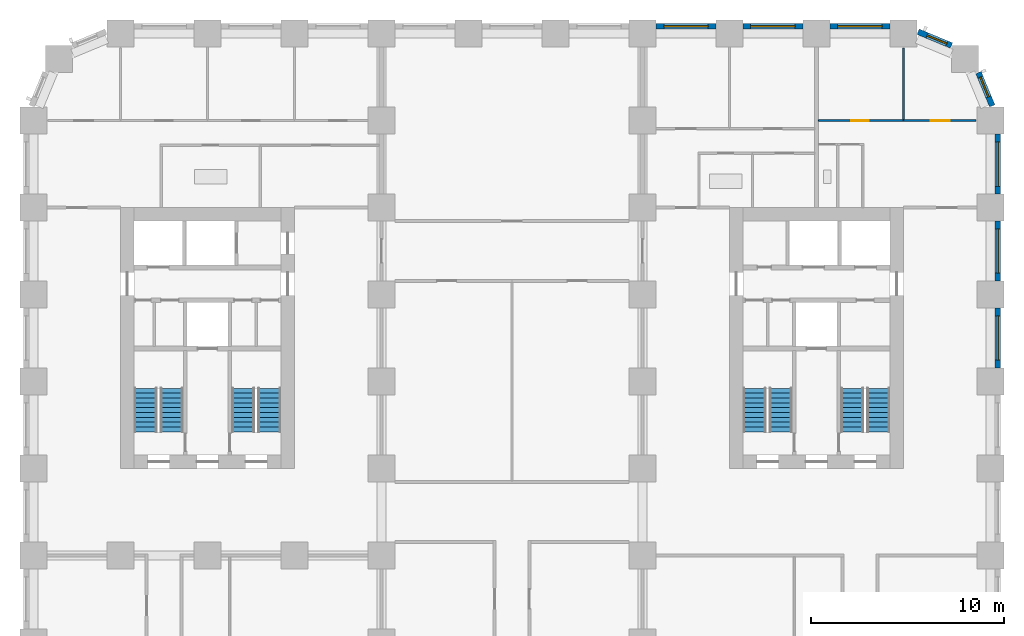
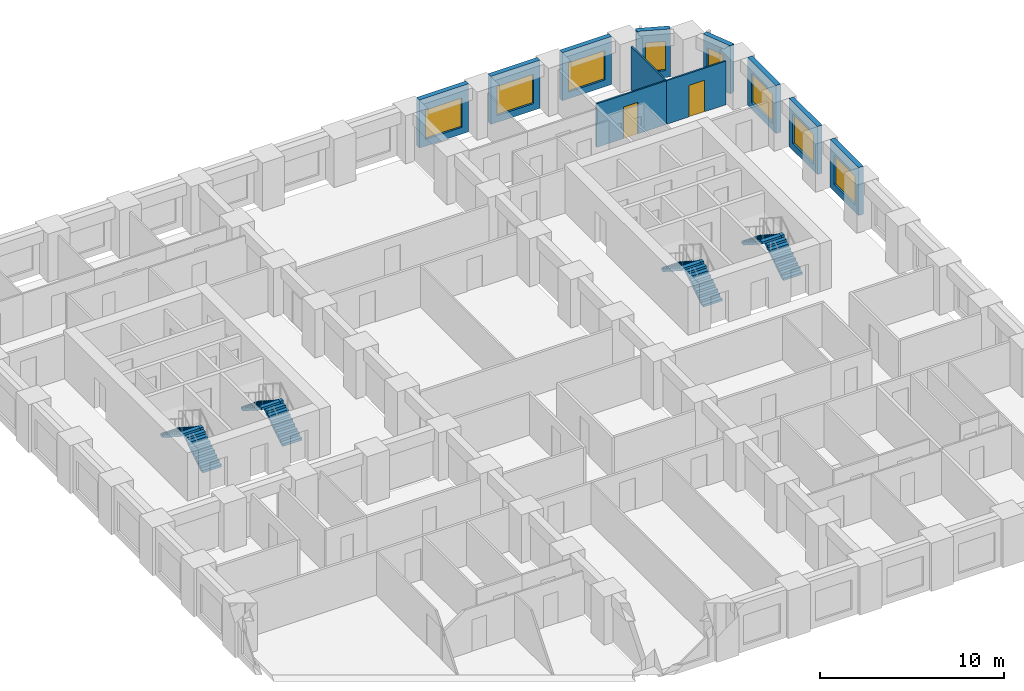
# One storey, part 9 of 12: 11 walls, 8 stair flights, 8 windows, 2 doors, 10 openings, 4 elements without a shape of their own.
"""IFC4 building model written with IfcOpenShell, lengths in metres."""

from ifc_helpers import new_model, si_unit, direction, frame, frame_2d, origin, place, context, subcontext, project, spatial, polyline, rectangle, outline, extrude, material, layer, layer_set, type_object, element, fill, aggregate, save


model = new_model("IFC4")

# Units and contexts
model_context = context("Model", 3, precision=1e-05, world=origin(), true_north=direction((0.0, 1.0)))
body_context = subcontext(model_context, "Body", "Model", "MODEL_VIEW")
ifc_project = project(units=[si_unit("LENGTHUNIT", "METRE"), si_unit("AREAUNIT", "SQUARE_METRE"), si_unit("VOLUMEUNIT", "CUBIC_METRE"), si_unit("PLANEANGLEUNIT", "RADIAN"), si_unit("MASSUNIT", "GRAM", prefix="KILO")], contexts=[model_context])

# Site, building, storey
site_placement = place(None, origin())
site = spatial("IfcSite", under=ifc_project, at=site_placement, CompositionType="ELEMENT")
building_placement = place(site_placement, origin())
building = spatial("IfcBuilding", under=site, at=building_placement, Name="Girih Gate Residences", CompositionType="ELEMENT")
storey_placement = place(building_placement, frame((0.0, 0.0, 36.800048828125)))
storey = spatial("IfcBuildingStorey", under=building, at=storey_placement, Name="L08", CompositionType="ELEMENT", Elevation=36.800048828125)

# Wall, opening, door
ifc_material_1 = material(Name="Gypsum board on steel studs", Category="steel")
ifc_layer_1 = layer(ifc_material_1, 0.10009765625)
ifc_layer_set_1 = layer_set([ifc_layer_1], Name="Partition 100 mm")
wall_type_1 = type_object("IfcWallType", Name="Partition 100 mm", PredefinedType="PARTITIONING", material=ifc_layer_set_1)
wall_1_placement = place(storey_placement, frame((40.60009765625, 45.0, 0.0), z_axis=(0.0, 0.0, 1.0), x_axis=(1.0, 0.0, 0.0)))
wall_1 = element("IfcWall", 1, at=wall_1_placement, inside=storey, type_object=wall_type_1, Name="L08 partition", PredefinedType="PARTITIONING", context=body_context, shape_type="SweptSolid", body=[
    extrude(rectangle(XDim=4.39990234375, YDim=0.10009765625, at=frame_2d((2.199951171875, 0.0))), origin(), (0.0, 0.0, 1.0), 2.89990234375),
])
opening_1_placement = place(wall_1_placement, frame((1.699951171875, 0.0, 0.0)))
opening_1 = element("IfcOpeningElement", 2, at=opening_1_placement, cuts=wall_1, Name="Opening A08-026", PredefinedType="OPENING", context=body_context, shape_type="SweptSolid", body=[
    extrude(rectangle(XDim=0.89990234375, YDim=2.10009765625, at=frame_2d((0.449951171875, 1.050048828125))), frame((0.0, 0.06005859375, 0.0), z_axis=(0.0, -1.0, 0.0), x_axis=(1.0, 0.0, 0.0)), (0.0, 0.0, 1.0), 0.1201171875),
])
ifc_material_2 = material(Name="Timber", Category="wood")
door_type_1 = type_object("IfcDoorType", Name="Bedroom door 900x2100", OperationType="NOTDEFINED", PredefinedType="DOOR", material=ifc_material_2)
door_1_placement = place(opening_1_placement, origin())
door_1 = element("IfcDoor", 3, at=door_1_placement, inside=storey, type_object=door_type_1, Name="Door A08-026", OperationType="SINGLE_SWING_LEFT", OverallHeight=2.10009765625, OverallWidth=0.89990234375, PredefinedType="DOOR", context=body_context, shape_type="SweptSolid", body=[
    extrude(rectangle(XDim=0.89990234375, YDim=2.10009765625, at=frame_2d((0.449951171875, 1.050048828125))), frame((0.0, 0.02490234375, 0.0), z_axis=(0.0, -1.0, 0.0), x_axis=(1.0, 0.0, 0.0)), (0.0, 0.0, 1.0), 0.050048828125),
])
fill(opening_1, door_1)

# Wall
wall_2_placement = place(storey_placement, frame((45.0, 45.050048828125, 0.0), z_axis=(0.0, 0.0, 1.0), x_axis=(0.0, 1.0, 0.0)))
element("IfcWall", 4, at=wall_2_placement, inside=storey, type_object=wall_type_1, Name="L08 partition", PredefinedType="PARTITIONING", context=body_context, shape_type="SweptSolid", body=[
    extrude(rectangle(XDim=3.6923828125, YDim=0.10009765625, at=frame_2d((1.84619140625, 0.0))), origin(), (0.0, 0.0, 1.0), 2.89990234375),
])

# Wall, opening, door
wall_3_placement = place(storey_placement, frame((45.0, 45.0, 0.0), z_axis=(0.0, 0.0, 1.0), x_axis=(1.0, 0.0, 0.0)))
wall_3 = element("IfcWall", 5, at=wall_3_placement, inside=storey, type_object=wall_type_1, Name="L08 partition", PredefinedType="PARTITIONING", context=body_context, shape_type="SweptSolid", body=[
    extrude(rectangle(XDim=3.742431640625, YDim=0.10009765625, at=frame_2d((1.87109375, 0.0))), origin(), (0.0, 0.0, 1.0), 2.89990234375),
])
opening_2_placement = place(wall_3_placement, frame((1.39990234375, 0.0, 0.0)))
opening_2 = element("IfcOpeningElement", 6, at=opening_2_placement, cuts=wall_3, Name="Opening A08-028", PredefinedType="OPENING", context=body_context, shape_type="SweptSolid", body=[
    extrude(rectangle(XDim=1.0, YDim=2.10009765625, at=frame_2d((0.5, 1.050048828125))), frame((0.0, 0.06005859375, 0.0), z_axis=(0.0, -1.0, 0.0), x_axis=(1.0, 0.0, 0.0)), (0.0, 0.0, 1.0), 0.1201171875),
])
door_type_2 = type_object("IfcDoorType", Name="Living room door 1000x2100", OperationType="NOTDEFINED", PredefinedType="DOOR", material=ifc_material_2)
door_2_placement = place(opening_2_placement, origin())
door_2 = element("IfcDoor", 7, at=door_2_placement, inside=storey, type_object=door_type_2, Name="Door A08-028", OperationType="SINGLE_SWING_RIGHT", OverallHeight=2.10009765625, OverallWidth=1.0, PredefinedType="DOOR", context=body_context, shape_type="SweptSolid", body=[
    extrude(rectangle(XDim=1.0, YDim=2.10009765625, at=frame_2d((0.5, 1.050048828125))), frame((0.0, 0.02490234375, 0.0), z_axis=(0.0, -1.0, 0.0), x_axis=(1.0, 0.0, 0.0)), (0.0, 0.0, 1.0), 0.050048828125),
])
fill(opening_2, door_2)

# Wall, opening, window
ifc_material_3 = material(Name="Precast concrete C50/60", Category="concrete")
ifc_layer_2 = layer(ifc_material_3, 0.080078125, Name="Outer leaf")
ifc_material_4 = material(Name="Rigid PIR insulation")
ifc_layer_3 = layer(ifc_material_4, 0.14990234375, Name="Insulation")
ifc_material_5 = material(Name="Precast concrete C40/50", Category="concrete")
ifc_layer_4 = layer(ifc_material_5, 0.070068359375, Name="Inner leaf")
ifc_layer_set_2 = layer_set([ifc_layer_2, ifc_layer_3, ifc_layer_4], Name="Precast concrete C50/60 external wall 300")
wall_type_2 = type_object("IfcWallType", Name="Precast concrete C50/60 external wall 300", PredefinedType="SOLIDWALL", material=ifc_layer_set_2)
wall_4_placement = place(storey_placement, frame((49.875, 35.300048828125, 0.0), z_axis=(0.0, 0.0, 1.0), x_axis=(0.0, -1.0, 0.0)))
wall_4 = element("IfcWall", 8, at=wall_4_placement, inside=storey, type_object=wall_type_2, Name="External wall E0495_0045.6", PredefinedType="SOLIDWALL", context=body_context, shape_type="SweptSolid", body=[
    extrude(rectangle(XDim=3.10009765625, YDim=0.300048828125, at=frame_2d((1.550048828125, 0.0))), origin(), (0.0, 0.0, 1.0), 3.199951171875),
])
opening_3_placement = place(wall_4_placement, frame((0.39990234375, 0.0, 0.449951171875)))
opening_3 = element("IfcOpeningElement", 9, at=opening_3_placement, cuts=wall_4, Name="Opening W-1", PredefinedType="OPENING", context=body_context, shape_type="SweptSolid", body=[
    extrude(rectangle(XDim=2.300048828125, YDim=1.949951171875, at=frame_2d((1.14990234375, 0.97509765625))), frame((0.0, 0.159912109375, 0.0), z_axis=(0.0, -1.0, 0.0), x_axis=(1.0, 0.0, 0.0)), (0.0, 0.0, 1.0), 0.320068359375),
])
ifc_material_6 = material(Name="Double glazing in aluminium frame", Category="aluminium")
window_type_1 = type_object("IfcWindowType", Name="Window W-1 2300x1950", PartitioningType="SINGLE_PANEL", PredefinedType="WINDOW", material=ifc_material_6)
window_1_placement = place(opening_3_placement, origin())
window_1 = element("IfcWindow", 10, at=window_1_placement, inside=storey, type_object=window_type_1, Name="Window W-1 E0495_0045.6", OverallHeight=1.949951171875, OverallWidth=2.300048828125, PartitioningType="SINGLE_PANEL", PredefinedType="WINDOW", context=body_context, shape_type="SweptSolid", body=[
    extrude(rectangle(XDim=2.300048828125, YDim=1.949951171875, at=frame_2d((1.14990234375, 0.97509765625))), frame((0.0, 0.030029296875, 0.0), z_axis=(0.0, -1.0, 0.0), x_axis=(1.0, 0.0, 0.0)), (0.0, 0.0, 1.0), 0.06005859375),
])
fill(opening_3, window_1)

wall_5_placement = place(storey_placement, frame((49.875, 39.800048828125, 0.0), z_axis=(0.0, 0.0, 1.0), x_axis=(0.0, -1.0, 0.0)))
wall_5 = element("IfcWall", 11, at=wall_5_placement, inside=storey, type_object=wall_type_2, Name="External wall E0495_0045.7", PredefinedType="SOLIDWALL", context=body_context, shape_type="SweptSolid", body=[
    extrude(rectangle(XDim=3.10009765625, YDim=0.300048828125, at=frame_2d((1.550048828125, 0.0))), origin(), (0.0, 0.0, 1.0), 3.199951171875),
])
opening_4_placement = place(wall_5_placement, frame((0.39990234375, 0.0, 0.449951171875)))
opening_4 = element("IfcOpeningElement", 12, at=opening_4_placement, cuts=wall_5, Name="Opening W-1", PredefinedType="OPENING", context=body_context, shape_type="SweptSolid", body=[
    extrude(rectangle(XDim=2.300048828125, YDim=1.949951171875, at=frame_2d((1.14990234375, 0.97509765625))), frame((0.0, 0.159912109375, 0.0), z_axis=(0.0, -1.0, 0.0), x_axis=(1.0, 0.0, 0.0)), (0.0, 0.0, 1.0), 0.320068359375),
])
window_2_placement = place(opening_4_placement, origin())
window_2 = element("IfcWindow", 13, at=window_2_placement, inside=storey, type_object=window_type_1, Name="Window W-1 E0495_0045.7", OverallHeight=1.949951171875, OverallWidth=2.300048828125, PartitioningType="SINGLE_PANEL", PredefinedType="WINDOW", context=body_context, shape_type="SweptSolid", body=[
    extrude(rectangle(XDim=2.300048828125, YDim=1.949951171875, at=frame_2d((1.14990234375, 0.97509765625))), frame((0.0, 0.030029296875, 0.0), z_axis=(0.0, -1.0, 0.0), x_axis=(1.0, 0.0, 0.0)), (0.0, 0.0, 1.0), 0.06005859375),
])
fill(opening_4, window_2)

wall_6_placement = place(storey_placement, frame((49.875, 44.300048828125, 0.0), z_axis=(0.0, 0.0, 1.0), x_axis=(0.0, -1.0, 0.0)))
wall_6 = element("IfcWall", 14, at=wall_6_placement, inside=storey, type_object=wall_type_2, Name="External wall E0495_0045.8", PredefinedType="SOLIDWALL", context=body_context, shape_type="SweptSolid", body=[
    extrude(rectangle(XDim=3.10009765625, YDim=0.300048828125, at=frame_2d((1.550048828125, 0.0))), origin(), (0.0, 0.0, 1.0), 3.199951171875),
])
opening_5_placement = place(wall_6_placement, frame((0.39990234375, 0.0, 0.449951171875)))
opening_5 = element("IfcOpeningElement", 15, at=opening_5_placement, cuts=wall_6, Name="Opening W-1", PredefinedType="OPENING", context=body_context, shape_type="SweptSolid", body=[
    extrude(rectangle(XDim=2.300048828125, YDim=1.949951171875, at=frame_2d((1.14990234375, 0.97509765625))), frame((0.0, 0.159912109375, 0.0), z_axis=(0.0, -1.0, 0.0), x_axis=(1.0, 0.0, 0.0)), (0.0, 0.0, 1.0), 0.320068359375),
])
window_3_placement = place(opening_5_placement, origin())
window_3 = element("IfcWindow", 16, at=window_3_placement, inside=storey, type_object=window_type_1, Name="Window W-1 E0495_0045.8", OverallHeight=1.949951171875, OverallWidth=2.300048828125, PartitioningType="SINGLE_PANEL", PredefinedType="WINDOW", context=body_context, shape_type="SweptSolid", body=[
    extrude(rectangle(XDim=2.300048828125, YDim=1.949951171875, at=frame_2d((1.14990234375, 0.97509765625))), frame((0.0, 0.030029296875, 0.0), z_axis=(0.0, -1.0, 0.0), x_axis=(1.0, 0.0, 0.0)), (0.0, 0.0, 1.0), 0.06005859375),
])
fill(opening_5, window_3)

wall_7_placement = place(storey_placement, frame((48.87841796875, 47.48046875, 0.0), z_axis=(0.0, 0.0, 1.0), x_axis=(0.38262540684, -0.923903565336, 0.0)))
wall_7 = element("IfcWall", 17, at=wall_7_placement, inside=storey, type_object=wall_type_2, Name="External wall NE0495_0450.0", PredefinedType="SOLIDWALL", context=body_context, shape_type="SweptSolid", body=[
    extrude(rectangle(XDim=1.864990234375, YDim=0.300048828125, at=frame_2d((0.9326171875, 0.0))), origin(), (0.0, 0.0, 1.0), 3.199951171875),
])
opening_6_placement = place(wall_7_placement, frame((0.257568359375, 0.0, 0.449951171875)))
opening_6 = element("IfcOpeningElement", 18, at=opening_6_placement, cuts=wall_7, Name="Opening W-2C", PredefinedType="OPENING", context=body_context, shape_type="SweptSolid", body=[
    extrude(rectangle(XDim=1.10009765625, YDim=1.949951171875, at=frame_2d((0.550048828125, 0.97509765625))), frame((0.0, 0.159912109375, 0.0), z_axis=(0.0, -1.0, 0.0), x_axis=(1.0, 0.0, 0.0)), (0.0, 0.0, 1.0), 0.320068359375),
])
window_type_2 = type_object("IfcWindowType", Name="Window W-2C 1100x1950", PartitioningType="SINGLE_PANEL", PredefinedType="WINDOW", material=ifc_material_6)
window_4_placement = place(opening_6_placement, origin())
window_4 = element("IfcWindow", 19, at=window_4_placement, inside=storey, type_object=window_type_2, Name="Window W-2C NE0495_0450.0", OverallHeight=1.949951171875, OverallWidth=1.10009765625, PartitioningType="SINGLE_PANEL", PredefinedType="WINDOW", context=body_context, shape_type="SweptSolid", body=[
    extrude(rectangle(XDim=1.10009765625, YDim=1.949951171875, at=frame_2d((0.550048828125, 0.97509765625))), frame((0.0, 0.030029296875, 0.0), z_axis=(0.0, -1.0, 0.0), x_axis=(1.0, 0.0, 0.0)), (0.0, 0.0, 1.0), 0.06005859375),
])
fill(opening_6, window_4)

wall_8_placement = place(storey_placement, frame((45.75732421875, 49.59228515625, 0.0), z_axis=(0.0, 0.0, 1.0), x_axis=(0.923857286003, -0.382737135771, 0.0)))
wall_8 = element("IfcWall", 20, at=wall_8_placement, inside=storey, type_object=wall_type_2, Name="External wall NE0482_0482.0", PredefinedType="SOLIDWALL", context=body_context, shape_type="SweptSolid", body=[
    extrude(rectangle(XDim=1.865234375, YDim=0.300048828125, at=frame_2d((0.9326171875, 0.0))), origin(), (0.0, 0.0, 1.0), 3.199951171875),
])
opening_7_placement = place(wall_8_placement, frame((0.507568359375, 0.0, 0.449951171875)))
opening_7 = element("IfcOpeningElement", 21, at=opening_7_placement, cuts=wall_8, Name="Opening W-2C", PredefinedType="OPENING", context=body_context, shape_type="SweptSolid", body=[
    extrude(rectangle(XDim=1.10009765625, YDim=1.949951171875, at=frame_2d((0.550048828125, 0.97509765625))), frame((0.0, 0.159912109375, 0.0), z_axis=(0.0, -1.0, 0.0), x_axis=(1.0, 0.0, 0.0)), (0.0, 0.0, 1.0), 0.320068359375),
])
window_5_placement = place(opening_7_placement, origin())
window_5 = element("IfcWindow", 22, at=window_5_placement, inside=storey, type_object=window_type_2, Name="Window W-2C NE0482_0482.0", OverallHeight=1.949951171875, OverallWidth=1.10009765625, PartitioningType="SINGLE_PANEL", PredefinedType="WINDOW", context=body_context, shape_type="SweptSolid", body=[
    extrude(rectangle(XDim=1.10009765625, YDim=1.949951171875, at=frame_2d((0.550048828125, 0.97509765625))), frame((0.0, 0.030029296875, 0.0), z_axis=(0.0, -1.0, 0.0), x_axis=(1.0, 0.0, 0.0)), (0.0, 0.0, 1.0), 0.06005859375),
])
fill(opening_7, window_5)

wall_9_placement = place(storey_placement, frame((41.199951171875, 49.875, 0.0), z_axis=(0.0, 0.0, 1.0), x_axis=(1.0, 0.0, 0.0)))
wall_9 = element("IfcWall", 23, at=wall_9_placement, inside=storey, type_object=wall_type_2, Name="External wall N0450_0495.0", PredefinedType="SOLIDWALL", context=body_context, shape_type="SweptSolid", body=[
    extrude(rectangle(XDim=3.10009765625, YDim=0.300048828125, at=frame_2d((1.550048828125, 0.0))), origin(), (0.0, 0.0, 1.0), 3.199951171875),
])
opening_8_placement = place(wall_9_placement, frame((0.39990234375, 0.0, 0.449951171875)))
opening_8 = element("IfcOpeningElement", 24, at=opening_8_placement, cuts=wall_9, Name="Opening W-1", PredefinedType="OPENING", context=body_context, shape_type="SweptSolid", body=[
    extrude(rectangle(XDim=2.300048828125, YDim=1.949951171875, at=frame_2d((1.14990234375, 0.97509765625))), frame((0.0, 0.159912109375, 0.0), z_axis=(0.0, -1.0, 0.0), x_axis=(1.0, 0.0, 0.0)), (0.0, 0.0, 1.0), 0.320068359375),
])
window_6_placement = place(opening_8_placement, origin())
window_6 = element("IfcWindow", 25, at=window_6_placement, inside=storey, type_object=window_type_1, Name="Window W-1 N0450_0495.0", OverallHeight=1.949951171875, OverallWidth=2.300048828125, PartitioningType="SINGLE_PANEL", PredefinedType="WINDOW", context=body_context, shape_type="SweptSolid", body=[
    extrude(rectangle(XDim=2.300048828125, YDim=1.949951171875, at=frame_2d((1.14990234375, 0.97509765625))), frame((0.0, 0.030029296875, 0.0), z_axis=(0.0, -1.0, 0.0), x_axis=(1.0, 0.0, 0.0)), (0.0, 0.0, 1.0), 0.06005859375),
])
fill(opening_8, window_6)

wall_10_placement = place(storey_placement, frame((36.699951171875, 49.875, 0.0), z_axis=(0.0, 0.0, 1.0), x_axis=(1.0, 0.0, 0.0)))
wall_10 = element("IfcWall", 26, at=wall_10_placement, inside=storey, type_object=wall_type_2, Name="External wall N0450_0495.1", PredefinedType="SOLIDWALL", context=body_context, shape_type="SweptSolid", body=[
    extrude(rectangle(XDim=3.10009765625, YDim=0.300048828125, at=frame_2d((1.550048828125, 0.0))), origin(), (0.0, 0.0, 1.0), 3.199951171875),
])
opening_9_placement = place(wall_10_placement, frame((0.39990234375, 0.0, 0.449951171875)))
opening_9 = element("IfcOpeningElement", 27, at=opening_9_placement, cuts=wall_10, Name="Opening W-1", PredefinedType="OPENING", context=body_context, shape_type="SweptSolid", body=[
    extrude(rectangle(XDim=2.300048828125, YDim=1.949951171875, at=frame_2d((1.14990234375, 0.97509765625))), frame((0.0, 0.159912109375, 0.0), z_axis=(0.0, -1.0, 0.0), x_axis=(1.0, 0.0, 0.0)), (0.0, 0.0, 1.0), 0.320068359375),
])
window_7_placement = place(opening_9_placement, origin())
window_7 = element("IfcWindow", 28, at=window_7_placement, inside=storey, type_object=window_type_1, Name="Window W-1 N0450_0495.1", OverallHeight=1.949951171875, OverallWidth=2.300048828125, PartitioningType="SINGLE_PANEL", PredefinedType="WINDOW", context=body_context, shape_type="SweptSolid", body=[
    extrude(rectangle(XDim=2.300048828125, YDim=1.949951171875, at=frame_2d((1.14990234375, 0.97509765625))), frame((0.0, 0.030029296875, 0.0), z_axis=(0.0, -1.0, 0.0), x_axis=(1.0, 0.0, 0.0)), (0.0, 0.0, 1.0), 0.06005859375),
])
fill(opening_9, window_7)

wall_11_placement = place(storey_placement, frame((32.199951171875, 49.875, 0.0), z_axis=(0.0, 0.0, 1.0), x_axis=(1.0, 0.0, 0.0)))
wall_11 = element("IfcWall", 29, at=wall_11_placement, inside=storey, type_object=wall_type_2, Name="External wall N0450_0495.2", PredefinedType="SOLIDWALL", context=body_context, shape_type="SweptSolid", body=[
    extrude(rectangle(XDim=3.10009765625, YDim=0.300048828125, at=frame_2d((1.550048828125, 0.0))), origin(), (0.0, 0.0, 1.0), 3.199951171875),
])
opening_10_placement = place(wall_11_placement, frame((0.39990234375, 0.0, 0.449951171875)))
opening_10 = element("IfcOpeningElement", 30, at=opening_10_placement, cuts=wall_11, Name="Opening W-1", PredefinedType="OPENING", context=body_context, shape_type="SweptSolid", body=[
    extrude(rectangle(XDim=2.300048828125, YDim=1.949951171875, at=frame_2d((1.14990234375, 0.97509765625))), frame((0.0, 0.159912109375, 0.0), z_axis=(0.0, -1.0, 0.0), x_axis=(1.0, 0.0, 0.0)), (0.0, 0.0, 1.0), 0.320068359375),
])
window_8_placement = place(opening_10_placement, origin())
window_8 = element("IfcWindow", 31, at=window_8_placement, inside=storey, type_object=window_type_1, Name="Window W-1 N0450_0495.2", OverallHeight=1.949951171875, OverallWidth=2.300048828125, PartitioningType="SINGLE_PANEL", PredefinedType="WINDOW", context=body_context, shape_type="SweptSolid", body=[
    extrude(rectangle(XDim=2.300048828125, YDim=1.949951171875, at=frame_2d((1.14990234375, 0.97509765625))), frame((0.0, 0.030029296875, 0.0), z_axis=(0.0, -1.0, 0.0), x_axis=(1.0, 0.0, 0.0)), (0.0, 0.0, 1.0), 0.06005859375),
])
fill(opening_10, window_8)

# Stair, stair flights
ifc_material_7 = material(Name="Concrete C40/50", Category="concrete")
stair_type = type_object("IfcStairType", Name="Exit stair", PredefinedType="HALF_TURN_STAIR", material=ifc_material_7)
stair_1_placement = place(storey_placement, origin())
stair_1 = element("IfcStair", 32, at=stair_1_placement, inside=storey, type_object=stair_type, Name="L08 Exit Stair ST-W1", PredefinedType="HALF_TURN_STAIR")
stair_flight_type = type_object("IfcStairFlightType", Name="Stair flight 1200", PredefinedType="STRAIGHT", material=ifc_material_7)
stair_flight_1_placement = place(storey_placement, frame((7.14990234375, 28.89990234375, 0.0), z_axis=(0.0, 0.0, 1.0), x_axis=(0.0, 1.0, 0.0)))
stair_flight_1 = element("IfcStairFlight", 33, at=stair_flight_1_placement, type_object=stair_flight_type, Name="ST-W1 flight 1", NumberOfRisers=10, NumberOfTreads=9, PredefinedType="STRAIGHT", RiserHeight=0.16, TreadLength=0.25, context=body_context, shape_type="SweptSolid", body=[
    extrude(outline(polyline([(0.0, 0.0), (0.0, 0.159912109375), (0.25, 0.159912109375), (0.25, 0.320068359375), (0.5, 0.320068359375), (0.5, 0.47998046875), (0.75, 0.47998046875), (0.75, 0.639892578125), (1.0, 0.639892578125), (1.0, 0.800048828125), (1.25, 0.800048828125), (1.25, 0.9599609375), (1.5, 0.9599609375), (1.5, 1.1201171875), (1.75, 1.1201171875), (1.75, 1.280029296875), (2.0, 1.280029296875), (2.0, 1.43994140625), (2.25, 1.43994140625), (2.25, 1.60009765625), (2.25, 1.29736328125), (0.222900390625, 0.0), (0.0, 0.0)])), frame((0.0, 0.60009765625, 0.0), z_axis=(0.0, -1.0, 0.0), x_axis=(1.0, 0.0, 0.0)), (0.0, 0.0, 1.0), 1.199951171875),
])
stair_flight_2_placement = place(storey_placement, frame((5.800048828125, 31.14990234375, 1.599853515625), z_axis=(0.0, 0.0, 1.0), x_axis=(0.0, -1.0, 0.0)))
stair_flight_2 = element("IfcStairFlight", 34, at=stair_flight_2_placement, type_object=stair_flight_type, Name="ST-W1 flight 2", NumberOfRisers=10, NumberOfTreads=9, PredefinedType="STRAIGHT", RiserHeight=0.16, TreadLength=0.25, context=body_context, shape_type="SweptSolid", body=[
    extrude(outline(polyline([(0.0, 0.0), (0.0, 0.159912109375), (0.25, 0.159912109375), (0.25, 0.320068359375), (0.5, 0.320068359375), (0.5, 0.47998046875), (0.75, 0.47998046875), (0.75, 0.639892578125), (1.0, 0.639892578125), (1.0, 0.800048828125), (1.25, 0.800048828125), (1.25, 0.9599609375), (1.5, 0.9599609375), (1.5, 1.1201171875), (1.75, 1.1201171875), (1.75, 1.280029296875), (2.0, 1.280029296875), (2.0, 1.43994140625), (2.25, 1.43994140625), (2.25, 1.60009765625), (2.25, 1.29736328125), (0.222900390625, 0.0), (0.0, 0.0)])), frame((0.0, 0.60009765625, 0.0), z_axis=(0.0, -1.0, 0.0), x_axis=(1.0, 0.0, 0.0)), (0.0, 0.0, 1.0), 1.199951171875),
])
aggregate(stair_1, [stair_flight_1, stair_flight_2])

stair_2_placement = place(storey_placement, origin())
stair_2 = element("IfcStair", 35, at=stair_2_placement, inside=storey, type_object=stair_type, Name="L08 Exit Stair ST-W2", PredefinedType="HALF_TURN_STAIR")
stair_flight_3_placement = place(storey_placement, frame((12.199951171875, 28.89990234375, 0.0), z_axis=(0.0, 0.0, 1.0), x_axis=(0.0, 1.0, 0.0)))
stair_flight_3 = element("IfcStairFlight", 36, at=stair_flight_3_placement, type_object=stair_flight_type, Name="ST-W2 flight 1", NumberOfRisers=10, NumberOfTreads=9, PredefinedType="STRAIGHT", RiserHeight=0.16, TreadLength=0.25, context=body_context, shape_type="SweptSolid", body=[
    extrude(outline(polyline([(0.0, 0.0), (0.0, 0.159912109375), (0.25, 0.159912109375), (0.25, 0.320068359375), (0.5, 0.320068359375), (0.5, 0.47998046875), (0.75, 0.47998046875), (0.75, 0.639892578125), (1.0, 0.639892578125), (1.0, 0.800048828125), (1.25, 0.800048828125), (1.25, 0.9599609375), (1.5, 0.9599609375), (1.5, 1.1201171875), (1.75, 1.1201171875), (1.75, 1.280029296875), (2.0, 1.280029296875), (2.0, 1.43994140625), (2.25, 1.43994140625), (2.25, 1.60009765625), (2.25, 1.29736328125), (0.222900390625, 0.0), (0.0, 0.0)])), frame((0.0, 0.60009765625, 0.0), z_axis=(0.0, -1.0, 0.0), x_axis=(1.0, 0.0, 0.0)), (0.0, 0.0, 1.0), 1.199951171875),
])
stair_flight_4_placement = place(storey_placement, frame((10.85009765625, 31.14990234375, 1.599853515625), z_axis=(0.0, 0.0, 1.0), x_axis=(0.0, -1.0, 0.0)))
stair_flight_4 = element("IfcStairFlight", 37, at=stair_flight_4_placement, type_object=stair_flight_type, Name="ST-W2 flight 2", NumberOfRisers=10, NumberOfTreads=9, PredefinedType="STRAIGHT", RiserHeight=0.16, TreadLength=0.25, context=body_context, shape_type="SweptSolid", body=[
    extrude(outline(polyline([(0.0, 0.0), (0.0, 0.159912109375), (0.25, 0.159912109375), (0.25, 0.320068359375), (0.5, 0.320068359375), (0.5, 0.47998046875), (0.75, 0.47998046875), (0.75, 0.639892578125), (1.0, 0.639892578125), (1.0, 0.800048828125), (1.25, 0.800048828125), (1.25, 0.9599609375), (1.5, 0.9599609375), (1.5, 1.1201171875), (1.75, 1.1201171875), (1.75, 1.280029296875), (2.0, 1.280029296875), (2.0, 1.43994140625), (2.25, 1.43994140625), (2.25, 1.60009765625), (2.25, 1.29736328125), (0.222900390625, 0.0), (0.0, 0.0)])), frame((0.0, 0.60009765625, 0.0), z_axis=(0.0, -1.0, 0.0), x_axis=(1.0, 0.0, 0.0)), (0.0, 0.0, 1.0), 1.199951171875),
])
aggregate(stair_2, [stair_flight_3, stair_flight_4])

stair_3_placement = place(storey_placement, origin())
stair_3 = element("IfcStair", 38, at=stair_3_placement, inside=storey, type_object=stair_type, Name="L08 Exit Stair ST-E1", PredefinedType="HALF_TURN_STAIR")
stair_flight_5_placement = place(storey_placement, frame((43.699951171875, 28.89990234375, 0.0), z_axis=(0.0, 0.0, 1.0), x_axis=(0.0, 1.0, 0.0)))
stair_flight_5 = element("IfcStairFlight", 39, at=stair_flight_5_placement, type_object=stair_flight_type, Name="ST-E1 flight 1", NumberOfRisers=10, NumberOfTreads=9, PredefinedType="STRAIGHT", RiserHeight=0.16, TreadLength=0.25, context=body_context, shape_type="SweptSolid", body=[
    extrude(outline(polyline([(0.0, 0.0), (0.0, 0.159912109375), (0.25, 0.159912109375), (0.25, 0.320068359375), (0.5, 0.320068359375), (0.5, 0.47998046875), (0.75, 0.47998046875), (0.75, 0.639892578125), (1.0, 0.639892578125), (1.0, 0.800048828125), (1.25, 0.800048828125), (1.25, 0.9599609375), (1.5, 0.9599609375), (1.5, 1.1201171875), (1.75, 1.1201171875), (1.75, 1.280029296875), (2.0, 1.280029296875), (2.0, 1.43994140625), (2.25, 1.43994140625), (2.25, 1.60009765625), (2.25, 1.29736328125), (0.222900390625, 0.0), (0.0, 0.0)])), frame((0.0, 0.60009765625, 0.0), z_axis=(0.0, -1.0, 0.0), x_axis=(1.0, 0.0, 0.0)), (0.0, 0.0, 1.0), 1.199951171875),
])
stair_flight_6_placement = place(storey_placement, frame((42.35009765625, 31.14990234375, 1.599853515625), z_axis=(0.0, 0.0, 1.0), x_axis=(0.0, -1.0, 0.0)))
stair_flight_6 = element("IfcStairFlight", 40, at=stair_flight_6_placement, type_object=stair_flight_type, Name="ST-E1 flight 2", NumberOfRisers=10, NumberOfTreads=9, PredefinedType="STRAIGHT", RiserHeight=0.16, TreadLength=0.25, context=body_context, shape_type="SweptSolid", body=[
    extrude(outline(polyline([(0.0, 0.0), (0.0, 0.159912109375), (0.25, 0.159912109375), (0.25, 0.320068359375), (0.5, 0.320068359375), (0.5, 0.47998046875), (0.75, 0.47998046875), (0.75, 0.639892578125), (1.0, 0.639892578125), (1.0, 0.800048828125), (1.25, 0.800048828125), (1.25, 0.9599609375), (1.5, 0.9599609375), (1.5, 1.1201171875), (1.75, 1.1201171875), (1.75, 1.280029296875), (2.0, 1.280029296875), (2.0, 1.43994140625), (2.25, 1.43994140625), (2.25, 1.60009765625), (2.25, 1.29736328125), (0.222900390625, 0.0), (0.0, 0.0)])), frame((0.0, 0.60009765625, 0.0), z_axis=(0.0, -1.0, 0.0), x_axis=(1.0, 0.0, 0.0)), (0.0, 0.0, 1.0), 1.199951171875),
])
aggregate(stair_3, [stair_flight_5, stair_flight_6])

stair_4_placement = place(storey_placement, origin())
stair_4 = element("IfcStair", 41, at=stair_4_placement, inside=storey, type_object=stair_type, Name="L08 Exit Stair ST-E2", PredefinedType="HALF_TURN_STAIR")
stair_flight_7_placement = place(storey_placement, frame((38.64990234375, 28.89990234375, 0.0), z_axis=(0.0, 0.0, 1.0), x_axis=(0.0, 1.0, 0.0)))
stair_flight_7 = element("IfcStairFlight", 42, at=stair_flight_7_placement, type_object=stair_flight_type, Name="ST-E2 flight 1", NumberOfRisers=10, NumberOfTreads=9, PredefinedType="STRAIGHT", RiserHeight=0.16, TreadLength=0.25, context=body_context, shape_type="SweptSolid", body=[
    extrude(outline(polyline([(0.0, 0.0), (0.0, 0.159912109375), (0.25, 0.159912109375), (0.25, 0.320068359375), (0.5, 0.320068359375), (0.5, 0.47998046875), (0.75, 0.47998046875), (0.75, 0.639892578125), (1.0, 0.639892578125), (1.0, 0.800048828125), (1.25, 0.800048828125), (1.25, 0.9599609375), (1.5, 0.9599609375), (1.5, 1.1201171875), (1.75, 1.1201171875), (1.75, 1.280029296875), (2.0, 1.280029296875), (2.0, 1.43994140625), (2.25, 1.43994140625), (2.25, 1.60009765625), (2.25, 1.29736328125), (0.222900390625, 0.0), (0.0, 0.0)])), frame((0.0, 0.60009765625, 0.0), z_axis=(0.0, -1.0, 0.0), x_axis=(1.0, 0.0, 0.0)), (0.0, 0.0, 1.0), 1.199951171875),
])
stair_flight_8_placement = place(storey_placement, frame((37.300048828125, 31.14990234375, 1.599853515625), z_axis=(0.0, 0.0, 1.0), x_axis=(0.0, -1.0, 0.0)))
stair_flight_8 = element("IfcStairFlight", 43, at=stair_flight_8_placement, type_object=stair_flight_type, Name="ST-E2 flight 2", NumberOfRisers=10, NumberOfTreads=9, PredefinedType="STRAIGHT", RiserHeight=0.16, TreadLength=0.25, context=body_context, shape_type="SweptSolid", body=[
    extrude(outline(polyline([(0.0, 0.0), (0.0, 0.159912109375), (0.25, 0.159912109375), (0.25, 0.320068359375), (0.5, 0.320068359375), (0.5, 0.47998046875), (0.75, 0.47998046875), (0.75, 0.639892578125), (1.0, 0.639892578125), (1.0, 0.800048828125), (1.25, 0.800048828125), (1.25, 0.9599609375), (1.5, 0.9599609375), (1.5, 1.1201171875), (1.75, 1.1201171875), (1.75, 1.280029296875), (2.0, 1.280029296875), (2.0, 1.43994140625), (2.25, 1.43994140625), (2.25, 1.60009765625), (2.25, 1.29736328125), (0.222900390625, 0.0), (0.0, 0.0)])), frame((0.0, 0.60009765625, 0.0), z_axis=(0.0, -1.0, 0.0), x_axis=(1.0, 0.0, 0.0)), (0.0, 0.0, 1.0), 1.199951171875),
])
aggregate(stair_4, [stair_flight_7, stair_flight_8])

save(model, "model.ifc")
